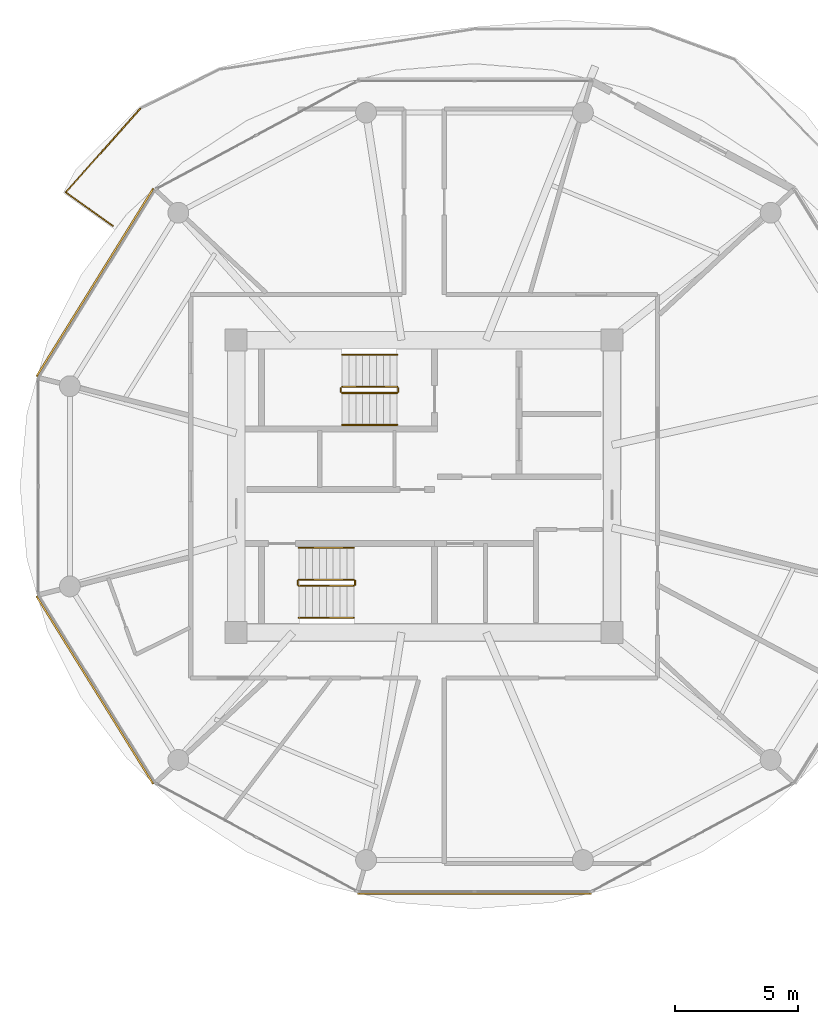
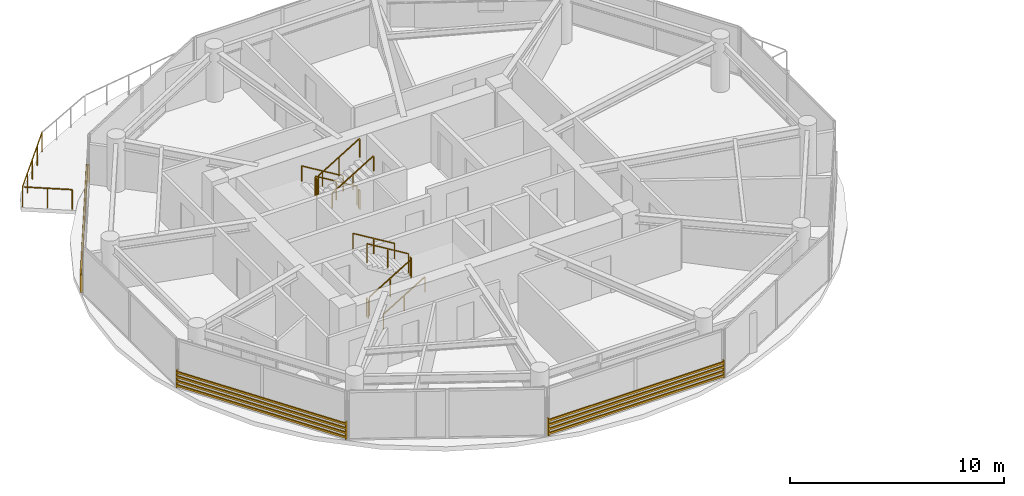
# One storey, part 21 of 23: 13 railings, 3 shading devices.
"""IFC4 building model written with IfcOpenShell, lengths in metres."""

import ifcopenshell
import ifcopenshell.guid

model = None  # the IFC model being written
_history = None  # IfcOwnerHistory: only IFC2X3 demands one
_inside = {}  # id of a spatial element -> (the spatial element, [elements in it])
_under = {}  # id of a project, library or spatial element -> (it, [spatial elements below it])
_declared = {}  # id of a project -> (the project, [libraries it declares])
_typed = {}  # id of a type object -> (the type object, [elements of that type])
_made_of = {}  # id of a material, layer set ... -> (it, [elements and type objects made of it])


def new_model(schema):
    """Start an empty IFC model of exactly this schema.

    Asked for "IFC4X3", IfcOpenShell would pick the latest addendum, in which some entities
    have other attributes; the version numbers below select the first issue.
    IFC2X3 requires an IfcOwnerHistory on every rooted entity: one is made here for all.
    """
    global model, _history
    if schema == "IFC4X3":
        model = ifcopenshell.file(schema_version=(4, 3, 0, 0))
    else:
        model = ifcopenshell.file(schema=schema)
    _inside.clear()
    _under.clear()
    _declared.clear()
    _typed.clear()
    _made_of.clear()
    _history = None
    if model.schema == "IFC2X3":
        org = make("IfcOrganization", Name="unknown")
        user = make(
            "IfcPersonAndOrganization",
            ThePerson=make("IfcPerson", FamilyName="unknown"),
            TheOrganization=org,
        )
        app = make(
            "IfcApplication",
            ApplicationDeveloper=org,
            Version="unknown",
            ApplicationFullName="unknown",
            ApplicationIdentifier="unknown",
        )
        _history = make(
            "IfcOwnerHistory",
            OwningUser=user,
            OwningApplication=app,
            ChangeAction="ADDED",
            CreationDate=0,
        )
    return model


def make(cls, **values):
    """One entity of the class cls with the attributes given. An attribute that is None is left unset."""
    return model.create_entity(
        cls, **{name: value for name, value in values.items() if value is not None}
    )


def rooted(cls, **values):
    """An entity with a GlobalId (a new one), such as an element, a storey or a relation."""
    return make(cls, GlobalId=ifcopenshell.guid.new(), OwnerHistory=_history, **values)


def si_unit(unit_type, name, prefix=None):
    """IfcSIUnit, for example si_unit("LENGTHUNIT", "METRE", prefix="MILLI")."""
    return make("IfcSIUnit", UnitType=unit_type, Prefix=prefix, Name=name)


def assignment(units):
    """IfcUnitAssignment: the units of a project."""
    return None if units is None else make("IfcUnitAssignment", Units=units)


def point(xyz):
    """IfcCartesianPoint."""
    return None if xyz is None else make("IfcCartesianPoint", Coordinates=xyz)


def direction(xyz):
    """IfcDirection."""
    return None if xyz is None else make("IfcDirection", DirectionRatios=xyz)


def frame(location, z_axis=None, x_axis=None):
    """IfcAxis2Placement3D, a coordinate frame: its origin and axes. An axis left out is left unset."""
    return make(
        "IfcAxis2Placement3D",
        Location=point(location),
        Axis=direction(z_axis),
        RefDirection=direction(x_axis),
    )


def frame_2d(location, x_axis=None):
    """IfcAxis2Placement2D, a coordinate frame in the plane: its origin and x axis."""
    return make(
        "IfcAxis2Placement2D", Location=point(location), RefDirection=direction(x_axis)
    )


def origin():
    """The frame at (0, 0, 0) with its axes left unset."""
    return frame((0.0, 0.0, 0.0))


def origin_2d():
    """The frame at (0, 0) in the plane with its x axis left unset."""
    return frame_2d((0.0, 0.0))


def place(relative_to, where):
    """IfcLocalPlacement: puts the frame where relative to a parent placement (None: the world)."""
    return make(
        "IfcLocalPlacement", PlacementRelTo=relative_to, RelativePlacement=where
    )


def context(
    kind, dimensions, precision=None, world=None, true_north=None, identifier=None
):
    """IfcGeometricRepresentationContext, for example the 3D "Model" context."""
    return make(
        "IfcGeometricRepresentationContext",
        ContextIdentifier=identifier,
        ContextType=kind,
        CoordinateSpaceDimension=dimensions,
        Precision=precision,
        WorldCoordinateSystem=world,
        TrueNorth=true_north,
    )


def subcontext(parent, identifier, kind, view, scale=None):
    """IfcGeometricRepresentationSubContext, for example "Body" below "Model"."""
    return make(
        "IfcGeometricRepresentationSubContext",
        ContextIdentifier=identifier,
        ContextType=kind,
        ParentContext=parent,
        TargetScale=scale,
        TargetView=view,
    )


def project(units=None, contexts=None):
    """IfcProject with its units and contexts."""
    return rooted(
        "IfcProject",
        Name="project",
        RepresentationContexts=contexts,
        UnitsInContext=assignment(units),
    )


def spatial(cls, under=None, at=None, **own):
    """A site, building, storey or space (cls), placed at a placement, below another one or the project."""
    s = rooted(cls, ObjectPlacement=at, **own)
    if under is not None:
        _under.setdefault(under.id(), (under, []))[1].append(s)
    return s


def profile(cls, at=None, kind="AREA", **sizes):
    """A parametric profile (cls). Its sizes go by their IFC names, for example OverallWidth=200.0."""
    return make(cls, ProfileType=kind, Position=at, **sizes)


def rectangle(**sizes):
    """IfcRectangleProfileDef."""
    return profile("IfcRectangleProfileDef", **sizes)


def extrude(swept, where, along, depth):
    """IfcExtrudedAreaSolid: the profile swept, set in the frame where, extruded along a direction by depth."""
    return make(
        "IfcExtrudedAreaSolid",
        SweptArea=swept,
        Position=where,
        ExtrudedDirection=direction(along),
        Depth=depth,
    )


def shape(context_of_items, identifier, shape_type, items):
    """IfcShapeRepresentation: the items that make up one representation, for example the "Body"."""
    return make(
        "IfcShapeRepresentation",
        ContextOfItems=context_of_items,
        RepresentationIdentifier=identifier,
        RepresentationType=shape_type,
        Items=items,
    )


def source(mapping_origin, context_of_items, identifier, shape_type, items):
    """IfcRepresentationMap: a shape defined once, which mapped items show again and again."""
    return make(
        "IfcRepresentationMap",
        MappingOrigin=mapping_origin,
        MappedRepresentation=shape(context_of_items, identifier, shape_type, items),
    )


def transform(
    local_origin,
    x_axis=None,
    y_axis=None,
    z_axis=None,
    scale=None,
    scale2=None,
    scale3=None,
    uniform=True,
):
    """IfcCartesianTransformationOperator3D, or its non-uniform kind. x_axis, y_axis, z_axis: its Axis1, 2, 3."""
    if uniform:
        return make(
            "IfcCartesianTransformationOperator3D",
            Axis1=direction(x_axis),
            Axis2=direction(y_axis),
            LocalOrigin=point(local_origin),
            Scale=scale,
            Axis3=direction(z_axis),
        )
    return make(
        "IfcCartesianTransformationOperator3DnonUniform",
        Axis1=direction(x_axis),
        Axis2=direction(y_axis),
        LocalOrigin=point(local_origin),
        Scale=scale,
        Axis3=direction(z_axis),
        Scale2=scale2,
        Scale3=scale3,
    )


def mapped(mapping_source, mapping_target):
    """IfcMappedItem: shows the shape of a source again, moved by a transform."""
    return make(
        "IfcMappedItem", MappingSource=mapping_source, MappingTarget=mapping_target
    )


def material(Name=None, Category=None):
    """IfcMaterial."""
    return make("IfcMaterial", Name=Name, Category=Category)


def made_of(thing, what):
    """Note that an element or type object is made of a material, layer set ...; save() writes the relation."""
    if what is not None:
        _made_of.setdefault(what.id(), (what, []))[1].append(thing)
    return thing


def type_object(cls, material=None, **own):
    """A type object (cls), such as IfcWallType, which elements share."""
    return made_of(rooted(cls, **own), material)


def type_shapes(of_type, sources):
    """Give a type object the sources (RepresentationMaps) that its elements show as mapped items."""
    of_type.RepresentationMaps = sources


def element(
    cls,
    number,
    at=None,
    inside=None,
    cuts=None,
    type_object=None,
    material=None,
    context=None,
    identifier="Body",
    shape_type=None,
    held_by="IfcProductDefinitionShape",
    body=None,
    shapes=None,
    **own,
):
    """One element of the class cls, such as IfcWall. Its Tag is "e" and its number.

    at: its placement. inside: the storey or other place that contains it. cuts: it is an
    opening in that element (IfcRelVoidsElement). A single representation is given by context,
    identifier, shape_type and body (its items); several are given by shapes. held_by: the class
    of the entity that holds the representations. save() writes the other relations.
    """
    e = rooted(cls, Tag="e%d" % number, ObjectPlacement=at, **own)
    if body is not None:
        shapes = [shape(context, identifier, shape_type, body)]
    if shapes is not None:
        e.Representation = make(held_by, Representations=shapes)
    if inside is not None:
        _inside.setdefault(inside.id(), (inside, []))[1].append(e)
    if cuts is not None:
        rooted(
            "IfcRelVoidsElement", RelatingBuildingElement=cuts, RelatedOpeningElement=e
        )
    if type_object is not None:
        _typed.setdefault(type_object.id(), (type_object, []))[1].append(e)
    return made_of(e, material)


def aggregate(whole, parts):
    """IfcRelAggregates: a whole, such as a stair, and the parts it consists of."""
    return rooted("IfcRelAggregates", RelatingObject=whole, RelatedObjects=parts)


def save(model, path):
    """Write the relations noted so far, then the file.

    IfcRelAggregates (storeys below a building ...), IfcRelContainedInSpatialStructure (elements
    in a storey), IfcRelDefinesByType, IfcRelAssociatesMaterial and IfcRelDeclares: one each for
    every whole, place, type object, material and project.
    """
    for whole, parts in _under.values():
        aggregate(whole, parts)
    for where, things in _inside.values():
        rooted(
            "IfcRelContainedInSpatialStructure",
            RelatedElements=things,
            RelatingStructure=where,
        )
    for kind, things in _typed.values():
        rooted("IfcRelDefinesByType", RelatedObjects=things, RelatingType=kind)
    for what, things in _made_of.values():
        rooted("IfcRelAssociatesMaterial", RelatedObjects=things, RelatingMaterial=what)
    for by, libraries in _declared.values():
        rooted("IfcRelDeclares", RelatingContext=by, RelatedDefinitions=libraries)
    model.write(path)


model = new_model("IFC4")

# Units and contexts
model_context = context("Model", 3, precision=1e-05, world=origin(), true_north=direction((0.0, 1.0)))
body_context = subcontext(model_context, "Body", "Model", "MODEL_VIEW")
ifc_project = project(units=[si_unit("LENGTHUNIT", "METRE"), si_unit("AREAUNIT", "SQUARE_METRE"), si_unit("VOLUMEUNIT", "CUBIC_METRE"), si_unit("PLANEANGLEUNIT", "RADIAN"), si_unit("MASSUNIT", "GRAM", prefix="KILO")], contexts=[model_context])

# Site, building, storey
site_placement = place(None, origin())
site = spatial("IfcSite", under=ifc_project, at=site_placement, CompositionType="ELEMENT")
building_placement = place(site_placement, origin())
building = spatial("IfcBuilding", under=site, at=building_placement, Name="Norrkilde Senior Care Towers", CompositionType="ELEMENT")
storey_placement = place(building_placement, frame((0.0, 0.0, 81.0)))
storey = spatial("IfcBuildingStorey", under=building, at=storey_placement, Name="L24", CompositionType="ELEMENT", Elevation=81.0)

# Railings
ifc_material_1 = material(Name="Anodised Aluminium", Category="aluminium")
railing_type_1 = type_object("IfcRailingType", Name="Balcony Swirl Ribbon Guardrail 1150", PredefinedType="GUARDRAIL", material=ifc_material_1)
railing_1_placement = place(storey_placement, frame((-40.682373046875, 10.61083984375, 0.0)))
element("IfcRailing", 1, at=railing_1_placement, inside=storey, type_object=railing_type_1, Name="L24 Perimeter Safety Guard 04", PredefinedType="GUARDRAIL", context=body_context, shape_type="SweptSolid", body=[
    extrude(rectangle(XDim=0.048095703125, YDim=0.048095703125, at=origin_2d()), frame((0.0, 0.0, 1.1259765625), z_axis=(-0.813987431133, 0.580882485497, 0.0), x_axis=(-0.580882485497, -0.813987431133, 0.0)), (0.0, 0.0, 1.0), 2.296875),
    extrude(rectangle(XDim=0.048095703125, YDim=0.048095703125, at=origin_2d()), frame((-1.875732421875, 1.388427734375, 1.1259765625), z_axis=(0.664310598834, 0.74745663973, 0.0), x_axis=(-0.74745663973, 0.664310598834, 0.0)), (0.0, 0.0, 1.0), 4.51318359375),
    extrude(rectangle(XDim=0.0419921875, YDim=0.0419921875, at=origin_2d()), origin(), (0.0, 0.0, 1.0), 1.099853515625),
    extrude(rectangle(XDim=0.0419921875, YDim=0.0419921875, at=origin_2d()), frame((-0.951416015625, 0.678955078125, 0.0)), (0.0, 0.0, 1.0), 1.099853515625),
    extrude(rectangle(XDim=0.0419921875, YDim=0.0419921875, at=origin_2d()), frame((-1.90283203125, 1.35791015625, 0.0)), (0.0, 0.0, 1.0), 1.099853515625),
    extrude(rectangle(XDim=0.0419921875, YDim=0.0419921875, at=origin_2d()), frame((-1.146484375, 2.208984375, 0.0)), (0.0, 0.0, 1.0), 1.099853515625),
    extrude(rectangle(XDim=0.0419921875, YDim=0.0419921875, at=origin_2d()), frame((-0.39013671875, 3.06005859375, 0.0)), (0.0, 0.0, 1.0), 1.099853515625),
    extrude(rectangle(XDim=0.0419921875, YDim=0.0419921875, at=origin_2d()), frame((0.3662109375, 3.910888671875, 0.0)), (0.0, 0.0, 1.0), 1.099853515625),
    extrude(rectangle(XDim=0.0419921875, YDim=0.0419921875, at=origin_2d()), frame((1.12255859375, 4.761962890625, 0.0)), (0.0, 0.0, 1.0), 1.099853515625),
])
ifc_material_2 = material(Name="Stainless Steel", Category="steel")
railing_type_2 = type_object("IfcRailingType", Name="Stair and Terrace Guardrail 1100", PredefinedType="GUARDRAIL", material=ifc_material_2)
railing_2_placement = place(storey_placement, frame((-29.10009765625, 4.050048828125, 0.16943359375)))
element("IfcRailing", 2, at=railing_2_placement, inside=storey, type_object=railing_type_2, Name="L24 ST-W1 stair guard 1", PredefinedType="GUARDRAIL", context=body_context, shape_type="SweptSolid", body=[
    extrude(rectangle(XDim=0.048095703125, YDim=0.048095703125, at=origin_2d()), frame((0.0, 0.0, 1.076171875), z_axis=(-0.855553338991, 0.0, 0.51771467445), x_axis=(0.0, -1.0, 0.0)), (0.0, 0.0, 1.0), 2.6181640625),
    extrude(rectangle(XDim=0.0419921875, YDim=0.0419921875, at=origin_2d()), origin(), (0.0, 0.0, 1.0), 1.050048828125),
    extrude(rectangle(XDim=0.0419921875, YDim=0.0419921875, at=origin_2d()), frame((-1.1201171875, 0.0, 0.677734375)), (0.0, 0.0, 1.0), 1.050048828125),
    extrude(rectangle(XDim=0.0419921875, YDim=0.0419921875, at=origin_2d()), frame((-2.239990234375, 0.0, 1.35546875)), (0.0, 0.0, 1.0), 1.050048828125),
])
railing_3_placement = place(storey_placement, frame((-31.389892578125, 4.0, 1.52490234375)))
element("IfcRailing", 3, at=railing_3_placement, inside=storey, type_object=railing_type_2, Name="L24 ST-W1 stair guard 2", PredefinedType="GUARDRAIL", context=body_context, shape_type="SweptSolid", body=[
    extrude(rectangle(XDim=0.048095703125, YDim=0.048095703125, at=origin_2d()), frame((0.0, 0.0, 1.076171875), z_axis=(0.0, -1.0, 0.0), x_axis=(1.0, 0.0, 0.0)), (0.0, 0.0, 1.0), 0.14990234375),
    extrude(rectangle(XDim=0.0419921875, YDim=0.0419921875, at=origin_2d()), origin(), (0.0, 0.0, 1.0), 1.050048828125),
    extrude(rectangle(XDim=0.0419921875, YDim=0.0419921875, at=origin_2d()), frame((0.0, -0.14990234375, 0.0)), (0.0, 0.0, 1.0), 1.050048828125),
])
railing_4_placement = place(storey_placement, frame((-31.340087890625, 3.800048828125, 1.6943359375)))
element("IfcRailing", 4, at=railing_4_placement, inside=storey, type_object=railing_type_2, Name="L24 ST-W1 stair guard 3", PredefinedType="GUARDRAIL", context=body_context, shape_type="SweptSolid", body=[
    extrude(rectangle(XDim=0.048095703125, YDim=0.048095703125, at=origin_2d()), frame((0.0, 0.0, 1.076171875), z_axis=(0.855512035549, 0.0, 0.517782924622), x_axis=(0.0, 1.0, 0.0)), (0.0, 0.0, 1.0), 2.618408203125),
    extrude(rectangle(XDim=0.0419921875, YDim=0.0419921875, at=origin_2d()), origin(), (0.0, 0.0, 1.0), 1.050048828125),
    extrude(rectangle(XDim=0.0419921875, YDim=0.0419921875, at=origin_2d()), frame((1.1201171875, 0.0, 0.677734375)), (0.0, 0.0, 1.0), 1.050048828125),
    extrude(rectangle(XDim=0.0419921875, YDim=0.0419921875, at=origin_2d()), frame((2.239990234375, 0.0, 1.355712890625)), (0.0, 0.0, 1.0), 1.050048828125),
])
railing_5_placement = place(storey_placement, frame((-29.050048828125, 4.0, 0.0)))
element("IfcRailing", 5, at=railing_5_placement, inside=storey, type_object=railing_type_2, Name="L24 ST-W1 stair guard 4", PredefinedType="GUARDRAIL", context=body_context, shape_type="SweptSolid", body=[
    extrude(rectangle(XDim=0.048095703125, YDim=0.048095703125, at=origin_2d()), frame((0.0, 0.0, 1.076171875), z_axis=(0.0, -1.0, 0.0), x_axis=(1.0, 0.0, 0.0)), (0.0, 0.0, 1.0), 0.14990234375),
    extrude(rectangle(XDim=0.0419921875, YDim=0.0419921875, at=origin_2d()), origin(), (0.0, 0.0, 1.0), 1.050048828125),
    extrude(rectangle(XDim=0.0419921875, YDim=0.0419921875, at=origin_2d()), frame((0.0, -0.14990234375, 0.0)), (0.0, 0.0, 1.0), 1.050048828125),
])
railing_6_placement = place(storey_placement, frame((-33.10009765625, -4.050048828125, 0.16943359375)))
element("IfcRailing", 6, at=railing_6_placement, inside=storey, type_object=railing_type_2, Name="L24 ST-W2 stair guard 1", PredefinedType="GUARDRAIL", context=body_context, shape_type="SweptSolid", body=[
    extrude(rectangle(XDim=0.048095703125, YDim=0.048095703125, at=origin_2d()), frame((0.0, 0.0, 1.076171875), z_axis=(0.855553338991, 0.0, 0.51771467445), x_axis=(0.0, 1.0, 0.0)), (0.0, 0.0, 1.0), 2.6181640625),
    extrude(rectangle(XDim=0.0419921875, YDim=0.0419921875, at=origin_2d()), origin(), (0.0, 0.0, 1.0), 1.050048828125),
    extrude(rectangle(XDim=0.0419921875, YDim=0.0419921875, at=origin_2d()), frame((1.1201171875, 0.0, 0.677734375)), (0.0, 0.0, 1.0), 1.050048828125),
    extrude(rectangle(XDim=0.0419921875, YDim=0.0419921875, at=origin_2d()), frame((2.239990234375, 0.0, 1.35546875)), (0.0, 0.0, 1.0), 1.050048828125),
])
railing_7_placement = place(storey_placement, frame((-30.81005859375, -4.0, 1.52490234375)))
element("IfcRailing", 7, at=railing_7_placement, inside=storey, type_object=railing_type_2, Name="L24 ST-W2 stair guard 2", PredefinedType="GUARDRAIL", context=body_context, shape_type="SweptSolid", body=[
    extrude(rectangle(XDim=0.048095703125, YDim=0.048095703125, at=origin_2d()), frame((0.0, 0.0, 1.076171875), z_axis=(0.0, 1.0, 0.0), x_axis=(-1.0, 0.0, 0.0)), (0.0, 0.0, 1.0), 0.14990234375),
    extrude(rectangle(XDim=0.0419921875, YDim=0.0419921875, at=origin_2d()), origin(), (0.0, 0.0, 1.0), 1.050048828125),
    extrude(rectangle(XDim=0.0419921875, YDim=0.0419921875, at=origin_2d()), frame((0.0, 0.14990234375, 0.0)), (0.0, 0.0, 1.0), 1.050048828125),
])
railing_8_placement = place(storey_placement, frame((-30.860107421875, -3.800048828125, 1.6943359375)))
element("IfcRailing", 8, at=railing_8_placement, inside=storey, type_object=railing_type_2, Name="L24 ST-W2 stair guard 3", PredefinedType="GUARDRAIL", context=body_context, shape_type="SweptSolid", body=[
    extrude(rectangle(XDim=0.048095703125, YDim=0.048095703125, at=origin_2d()), frame((0.0, 0.0, 1.076171875), z_axis=(-0.855512035549, 0.0, 0.517782924622), x_axis=(0.0, -1.0, 0.0)), (0.0, 0.0, 1.0), 2.618408203125),
    extrude(rectangle(XDim=0.0419921875, YDim=0.0419921875, at=origin_2d()), origin(), (0.0, 0.0, 1.0), 1.050048828125),
    extrude(rectangle(XDim=0.0419921875, YDim=0.0419921875, at=origin_2d()), frame((-1.1201171875, 0.0, 0.677734375)), (0.0, 0.0, 1.0), 1.050048828125),
    extrude(rectangle(XDim=0.0419921875, YDim=0.0419921875, at=origin_2d()), frame((-2.239990234375, 0.0, 1.355712890625)), (0.0, 0.0, 1.0), 1.050048828125),
])
railing_9_placement = place(storey_placement, frame((-33.14990234375, -4.0, 0.0)))
element("IfcRailing", 9, at=railing_9_placement, inside=storey, type_object=railing_type_2, Name="L24 ST-W2 stair guard 4", PredefinedType="GUARDRAIL", context=body_context, shape_type="SweptSolid", body=[
    extrude(rectangle(XDim=0.048095703125, YDim=0.048095703125, at=origin_2d()), frame((0.0, 0.0, 1.076171875), z_axis=(0.0, 1.0, 0.0), x_axis=(-1.0, 0.0, 0.0)), (0.0, 0.0, 1.0), 0.14990234375),
    extrude(rectangle(XDim=0.0419921875, YDim=0.0419921875, at=origin_2d()), origin(), (0.0, 0.0, 1.0), 1.050048828125),
    extrude(rectangle(XDim=0.0419921875, YDim=0.0419921875, at=origin_2d()), frame((0.0, 0.14990234375, 0.0)), (0.0, 0.0, 1.0), 1.050048828125),
])
ifc_material_3 = material(Name="Nordic Ash Timber", Category="wood")
railing_type_3 = type_object("IfcRailingType", Name="Wall and Stair Handrail 900", PredefinedType="HANDRAIL", material=ifc_material_3)
railing_10_placement = place(storey_placement, frame((-29.10009765625, 5.35009765625, 0.16943359375)))
element("IfcRailing", 10, at=railing_10_placement, inside=storey, type_object=railing_type_3, Name="L24 ST-W1 stair handrail 1", PredefinedType="HANDRAIL", context=body_context, shape_type="SweptSolid", body=[
    extrude(rectangle(XDim=0.048095703125, YDim=0.048095703125, at=origin_2d()), frame((0.0, 0.0, 0.8759765625), z_axis=(-0.855553338991, 0.0, 0.51771467445), x_axis=(0.0, -1.0, 0.0)), (0.0, 0.0, 1.0), 2.6181640625),
    extrude(rectangle(XDim=0.0419921875, YDim=0.0419921875, at=origin_2d()), origin(), (0.0, 0.0, 1.0), 0.849853515625),
    extrude(rectangle(XDim=0.0419921875, YDim=0.0419921875, at=origin_2d()), frame((-1.1201171875, 0.0, 0.677734375)), (0.0, 0.0, 1.0), 0.849853515625),
    extrude(rectangle(XDim=0.0419921875, YDim=0.0419921875, at=origin_2d()), frame((-2.239990234375, 0.0, 1.35546875)), (0.0, 0.0, 1.0), 0.849853515625),
])
railing_11_placement = place(storey_placement, frame((-31.340087890625, 2.5, 1.6943359375)))
element("IfcRailing", 11, at=railing_11_placement, inside=storey, type_object=railing_type_3, Name="L24 ST-W1 stair handrail 2", PredefinedType="HANDRAIL", context=body_context, shape_type="SweptSolid", body=[
    extrude(rectangle(XDim=0.048095703125, YDim=0.048095703125, at=origin_2d()), frame((0.0, 0.0, 0.8759765625), z_axis=(0.855512035549, 0.0, 0.517782924622), x_axis=(0.0, 1.0, 0.0)), (0.0, 0.0, 1.0), 2.618408203125),
    extrude(rectangle(XDim=0.0419921875, YDim=0.0419921875, at=origin_2d()), origin(), (0.0, 0.0, 1.0), 0.849853515625),
    extrude(rectangle(XDim=0.0419921875, YDim=0.0419921875, at=origin_2d()), frame((1.1201171875, 0.0, 0.677734375)), (0.0, 0.0, 1.0), 0.849853515625),
    extrude(rectangle(XDim=0.0419921875, YDim=0.0419921875, at=origin_2d()), frame((2.239990234375, 0.0, 1.355712890625)), (0.0, 0.0, 1.0), 0.849853515625),
])
railing_12_placement = place(storey_placement, frame((-33.10009765625, -5.35009765625, 0.16943359375)))
element("IfcRailing", 12, at=railing_12_placement, inside=storey, type_object=railing_type_3, Name="L24 ST-W2 stair handrail 1", PredefinedType="HANDRAIL", context=body_context, shape_type="SweptSolid", body=[
    extrude(rectangle(XDim=0.048095703125, YDim=0.048095703125, at=origin_2d()), frame((0.0, 0.0, 0.8759765625), z_axis=(0.855553338991, 0.0, 0.51771467445), x_axis=(0.0, 1.0, 0.0)), (0.0, 0.0, 1.0), 2.6181640625),
    extrude(rectangle(XDim=0.0419921875, YDim=0.0419921875, at=origin_2d()), origin(), (0.0, 0.0, 1.0), 0.849853515625),
    extrude(rectangle(XDim=0.0419921875, YDim=0.0419921875, at=origin_2d()), frame((1.1201171875, 0.0, 0.677734375)), (0.0, 0.0, 1.0), 0.849853515625),
    extrude(rectangle(XDim=0.0419921875, YDim=0.0419921875, at=origin_2d()), frame((2.239990234375, 0.0, 1.35546875)), (0.0, 0.0, 1.0), 0.849853515625),
])
railing_13_placement = place(storey_placement, frame((-30.860107421875, -2.5, 1.6943359375)))
element("IfcRailing", 13, at=railing_13_placement, inside=storey, type_object=railing_type_3, Name="L24 ST-W2 stair handrail 2", PredefinedType="HANDRAIL", context=body_context, shape_type="SweptSolid", body=[
    extrude(rectangle(XDim=0.048095703125, YDim=0.048095703125, at=origin_2d()), frame((0.0, 0.0, 0.8759765625), z_axis=(-0.855512035549, 0.0, 0.517782924622), x_axis=(0.0, -1.0, 0.0)), (0.0, 0.0, 1.0), 2.618408203125),
    extrude(rectangle(XDim=0.0419921875, YDim=0.0419921875, at=origin_2d()), origin(), (0.0, 0.0, 1.0), 0.849853515625),
    extrude(rectangle(XDim=0.0419921875, YDim=0.0419921875, at=origin_2d()), frame((-1.1201171875, 0.0, 0.677734375)), (0.0, 0.0, 1.0), 0.849853515625),
    extrude(rectangle(XDim=0.0419921875, YDim=0.0419921875, at=origin_2d()), frame((-2.239990234375, 0.0, 1.355712890625)), (0.0, 0.0, 1.0), 0.849853515625),
])

# Shading devices
ifc_material_4 = material(Name="Architectural Terracotta", Category="masonry")
shading_device_type = type_object("IfcShadingDeviceType", Name="Horizontal Terracotta Baguette Rack", PredefinedType="USERDEFINED", material=ifc_material_4)
shared_shape_1 = source(origin(), body_context, "Body", "SweptSolid", [
    extrude(rectangle(XDim=0.070068359375, YDim=0.110107421875, at=origin_2d()), frame((0.0, 0.090087890625, 0.125), z_axis=(1.0, 0.0, 0.0), x_axis=(0.0, 1.0, 0.0)), (0.0, 0.0, 1.0), 9.01416015625),
    extrude(rectangle(XDim=0.070068359375, YDim=0.110107421875, at=origin_2d()), frame((0.0, 0.090087890625, 0.375), z_axis=(1.0, 0.0, 0.0), x_axis=(0.0, 1.0, 0.0)), (0.0, 0.0, 1.0), 9.01416015625),
    extrude(rectangle(XDim=0.070068359375, YDim=0.110107421875, at=origin_2d()), frame((0.0, 0.090087890625, 0.625), z_axis=(1.0, 0.0, 0.0), x_axis=(0.0, 1.0, 0.0)), (0.0, 0.0, 1.0), 9.01416015625),
    extrude(rectangle(XDim=0.070068359375, YDim=0.110107421875, at=origin_2d()), frame((0.0, 0.090087890625, 0.875), z_axis=(1.0, 0.0, 0.0), x_axis=(0.0, 1.0, 0.0)), (0.0, 0.0, 1.0), 9.01416015625),
    extrude(rectangle(XDim=0.050048828125, YDim=0.1552734375, at=origin_2d()), frame((0.02490234375, 0.047607421875, 0.0)), (0.0, 0.0, 1.0), 1.0),
    extrude(rectangle(XDim=0.050048828125, YDim=0.1552734375, at=origin_2d()), frame((8.9892578125, 0.047607421875, 0.0)), (0.0, 0.0, 1.0), 1.0),
])
for number, where, z_axis, x_axis, name in (
    (14, (-43.70361328125, 4.420654296875, 0.080078125), (0.0, 0.0, 1.0), (0.527734142246, 0.849412274525, 0.0), "L24 Drum W Terracotta Baguette Screen 04"),
    (15, (-38.946533203125, -12.077392578125, 0.080078125), (0.0, 0.0, 1.0), (-0.527734142246, 0.849412274525, 0.0), "L24 Drum W Terracotta Baguette Screen 06"),
):
    element("IfcShadingDevice", number, at=place(storey_placement, frame(where, z_axis=z_axis, x_axis=x_axis)), inside=storey, type_object=shading_device_type, Name=name, ObjectType="BAGUETTE", PredefinedType="USERDEFINED", context=body_context, shape_type="MappedRepresentation", body=[
        mapped(shared_shape_1, transform((0.0, 0.0, 0.0), x_axis=(1.0, 0.0, 0.0), y_axis=(0.0, 1.0, 0.0), z_axis=(0.0, 0.0, 1.0), scale=1.0)),
    ])
shared_shape_2 = source(origin(), body_context, "Body", "SweptSolid", [
    extrude(rectangle(XDim=0.070068359375, YDim=0.110107421875, at=origin_2d()), frame((0.0, 0.090087890625, 0.125), z_axis=(1.0, 0.0, 0.0), x_axis=(0.0, 1.0, 0.0)), (0.0, 0.0, 1.0), 9.51416015625),
    extrude(rectangle(XDim=0.070068359375, YDim=0.110107421875, at=origin_2d()), frame((0.0, 0.090087890625, 0.375), z_axis=(1.0, 0.0, 0.0), x_axis=(0.0, 1.0, 0.0)), (0.0, 0.0, 1.0), 9.51416015625),
    extrude(rectangle(XDim=0.070068359375, YDim=0.110107421875, at=origin_2d()), frame((0.0, 0.090087890625, 0.625), z_axis=(1.0, 0.0, 0.0), x_axis=(0.0, 1.0, 0.0)), (0.0, 0.0, 1.0), 9.51416015625),
    extrude(rectangle(XDim=0.070068359375, YDim=0.110107421875, at=origin_2d()), frame((0.0, 0.090087890625, 0.875), z_axis=(1.0, 0.0, 0.0), x_axis=(0.0, 1.0, 0.0)), (0.0, 0.0, 1.0), 9.51416015625),
    extrude(rectangle(XDim=0.050048828125, YDim=0.1552734375, at=origin_2d()), frame((0.02490234375, 0.047607421875, 0.0)), (0.0, 0.0, 1.0), 1.0),
    extrude(rectangle(XDim=0.050048828125, YDim=0.1552734375, at=origin_2d()), frame((9.4892578125, 0.047607421875, 0.0)), (0.0, 0.0, 1.0), 1.0),
])
type_shapes(shading_device_type, [shared_shape_1, shared_shape_2])
shading_device_placement = place(storey_placement, frame((-21.19287109375, -16.498046875, 0.080078125), z_axis=(0.0, 0.0, 1.0), x_axis=(-1.0, 0.0, 0.0)))
element("IfcShadingDevice", 16, at=shading_device_placement, inside=storey, type_object=shading_device_type, Name="L24 Drum W Terracotta Baguette Screen 08", ObjectType="BAGUETTE", PredefinedType="USERDEFINED", context=body_context, shape_type="MappedRepresentation", body=[
    mapped(shared_shape_2, transform((0.0, 0.0, 0.0), x_axis=(1.0, 0.0, 0.0), y_axis=(0.0, 1.0, 0.0), z_axis=(0.0, 0.0, 1.0), scale=1.0)),
])

save(model, "model.ifc")
